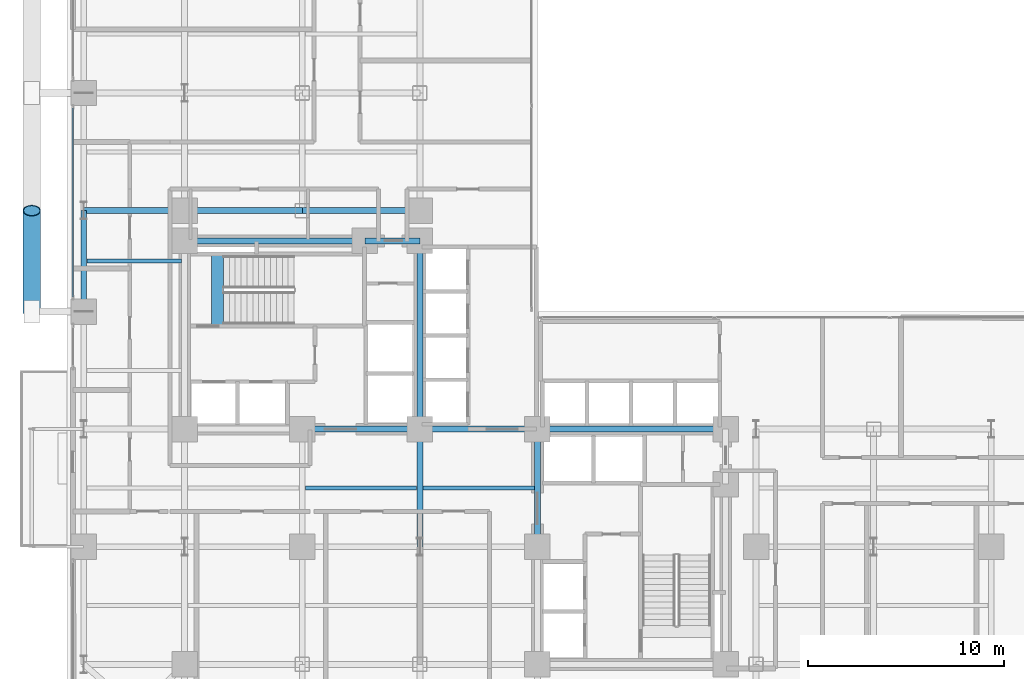
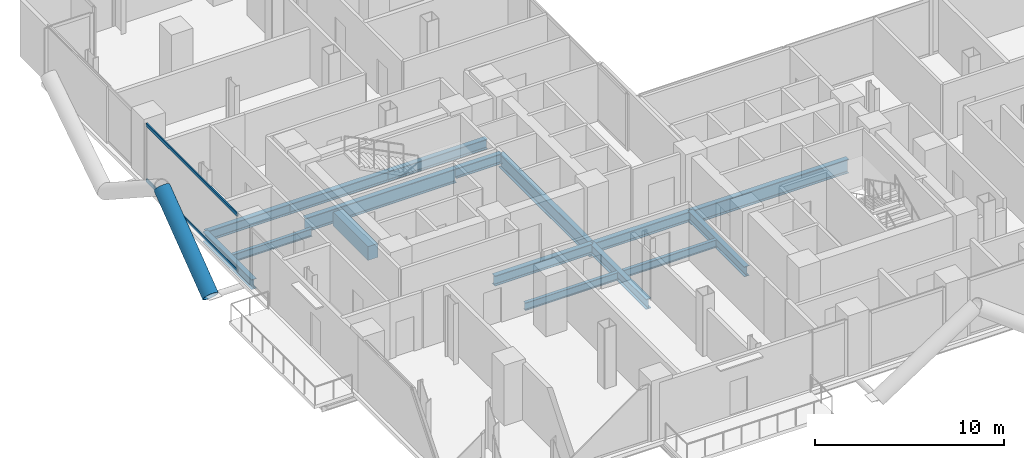
# One storey, part 6 of 25: 16 beams, 3 members, 1 element without a shape of its own.
"""IFC4 building model written with IfcOpenShell, lengths in metres."""

import ifcopenshell
import ifcopenshell.guid

model = None  # the IFC model being written
_history = None  # IfcOwnerHistory: only IFC2X3 demands one
_inside = {}  # id of a spatial element -> (the spatial element, [elements in it])
_under = {}  # id of a project, library or spatial element -> (it, [spatial elements below it])
_declared = {}  # id of a project -> (the project, [libraries it declares])
_typed = {}  # id of a type object -> (the type object, [elements of that type])
_made_of = {}  # id of a material, layer set ... -> (it, [elements and type objects made of it])


def new_model(schema):
    """Start an empty IFC model of exactly this schema.

    Asked for "IFC4X3", IfcOpenShell would pick the latest addendum, in which some entities
    have other attributes; the version numbers below select the first issue.
    IFC2X3 requires an IfcOwnerHistory on every rooted entity: one is made here for all.
    """
    global model, _history
    if schema == "IFC4X3":
        model = ifcopenshell.file(schema_version=(4, 3, 0, 0))
    else:
        model = ifcopenshell.file(schema=schema)
    _inside.clear()
    _under.clear()
    _declared.clear()
    _typed.clear()
    _made_of.clear()
    _history = None
    if model.schema == "IFC2X3":
        org = make("IfcOrganization", Name="unknown")
        user = make(
            "IfcPersonAndOrganization",
            ThePerson=make("IfcPerson", FamilyName="unknown"),
            TheOrganization=org,
        )
        app = make(
            "IfcApplication",
            ApplicationDeveloper=org,
            Version="unknown",
            ApplicationFullName="unknown",
            ApplicationIdentifier="unknown",
        )
        _history = make(
            "IfcOwnerHistory",
            OwningUser=user,
            OwningApplication=app,
            ChangeAction="ADDED",
            CreationDate=0,
        )
    return model


def make(cls, **values):
    """One entity of the class cls with the attributes given. An attribute that is None is left unset."""
    return model.create_entity(
        cls, **{name: value for name, value in values.items() if value is not None}
    )


def rooted(cls, **values):
    """An entity with a GlobalId (a new one), such as an element, a storey or a relation."""
    return make(cls, GlobalId=ifcopenshell.guid.new(), OwnerHistory=_history, **values)


def si_unit(unit_type, name, prefix=None):
    """IfcSIUnit, for example si_unit("LENGTHUNIT", "METRE", prefix="MILLI")."""
    return make("IfcSIUnit", UnitType=unit_type, Prefix=prefix, Name=name)


def assignment(units):
    """IfcUnitAssignment: the units of a project."""
    return None if units is None else make("IfcUnitAssignment", Units=units)


def point(xyz):
    """IfcCartesianPoint."""
    return None if xyz is None else make("IfcCartesianPoint", Coordinates=xyz)


def direction(xyz):
    """IfcDirection."""
    return None if xyz is None else make("IfcDirection", DirectionRatios=xyz)


def frame(location, z_axis=None, x_axis=None):
    """IfcAxis2Placement3D, a coordinate frame: its origin and axes. An axis left out is left unset."""
    return make(
        "IfcAxis2Placement3D",
        Location=point(location),
        Axis=direction(z_axis),
        RefDirection=direction(x_axis),
    )


def frame_2d(location, x_axis=None):
    """IfcAxis2Placement2D, a coordinate frame in the plane: its origin and x axis."""
    return make(
        "IfcAxis2Placement2D", Location=point(location), RefDirection=direction(x_axis)
    )


def origin():
    """The frame at (0, 0, 0) with its axes left unset."""
    return frame((0.0, 0.0, 0.0))


def origin_2d():
    """The frame at (0, 0) in the plane with its x axis left unset."""
    return frame_2d((0.0, 0.0))


def place(relative_to, where):
    """IfcLocalPlacement: puts the frame where relative to a parent placement (None: the world)."""
    return make(
        "IfcLocalPlacement", PlacementRelTo=relative_to, RelativePlacement=where
    )


def context(
    kind, dimensions, precision=None, world=None, true_north=None, identifier=None
):
    """IfcGeometricRepresentationContext, for example the 3D "Model" context."""
    return make(
        "IfcGeometricRepresentationContext",
        ContextIdentifier=identifier,
        ContextType=kind,
        CoordinateSpaceDimension=dimensions,
        Precision=precision,
        WorldCoordinateSystem=world,
        TrueNorth=true_north,
    )


def subcontext(parent, identifier, kind, view, scale=None):
    """IfcGeometricRepresentationSubContext, for example "Body" below "Model"."""
    return make(
        "IfcGeometricRepresentationSubContext",
        ContextIdentifier=identifier,
        ContextType=kind,
        ParentContext=parent,
        TargetScale=scale,
        TargetView=view,
    )


def project(units=None, contexts=None):
    """IfcProject with its units and contexts."""
    return rooted(
        "IfcProject",
        Name="project",
        RepresentationContexts=contexts,
        UnitsInContext=assignment(units),
    )


def spatial(cls, under=None, at=None, **own):
    """A site, building, storey or space (cls), placed at a placement, below another one or the project."""
    s = rooted(cls, ObjectPlacement=at, **own)
    if under is not None:
        _under.setdefault(under.id(), (under, []))[1].append(s)
    return s


def profile(cls, at=None, kind="AREA", **sizes):
    """A parametric profile (cls). Its sizes go by their IFC names, for example OverallWidth=200.0."""
    return make(cls, ProfileType=kind, Position=at, **sizes)


def rectangle(**sizes):
    """IfcRectangleProfileDef."""
    return profile("IfcRectangleProfileDef", **sizes)


def hollow_rectangle(**sizes):
    """IfcRectangleHollowProfileDef."""
    return profile("IfcRectangleHollowProfileDef", **sizes)


def hollow_circle(**sizes):
    """IfcCircleHollowProfileDef."""
    return profile("IfcCircleHollowProfileDef", **sizes)


def i_section(**sizes):
    """IfcIShapeProfileDef."""
    return profile("IfcIShapeProfileDef", **sizes)


def extrude(swept, where, along, depth):
    """IfcExtrudedAreaSolid: the profile swept, set in the frame where, extruded along a direction by depth."""
    return make(
        "IfcExtrudedAreaSolid",
        SweptArea=swept,
        Position=where,
        ExtrudedDirection=direction(along),
        Depth=depth,
    )


def shape(context_of_items, identifier, shape_type, items):
    """IfcShapeRepresentation: the items that make up one representation, for example the "Body"."""
    return make(
        "IfcShapeRepresentation",
        ContextOfItems=context_of_items,
        RepresentationIdentifier=identifier,
        RepresentationType=shape_type,
        Items=items,
    )


def material(Name=None, Category=None):
    """IfcMaterial."""
    return make("IfcMaterial", Name=Name, Category=Category)


def layer(
    of_material, thickness, ventilated=None, Name=None, Category=None, Priority=None
):
    """IfcMaterialLayer: one layer of a wall or slab, of a material (None: an air gap)."""
    return make(
        "IfcMaterialLayer",
        Material=of_material,
        LayerThickness=thickness,
        IsVentilated=ventilated,
        Name=Name,
        Category=Category,
        Priority=Priority,
    )


def layer_set(layers, Name=None):
    """IfcMaterialLayerSet."""
    return make("IfcMaterialLayerSet", MaterialLayers=layers, LayerSetName=Name)


def material_profile(
    of_material, cross_section, Name=None, Category=None, Priority=None
):
    """IfcMaterialProfile: a cross section and its material."""
    return make(
        "IfcMaterialProfile",
        Name=Name,
        Material=of_material,
        Profile=cross_section,
        Priority=Priority,
        Category=Category,
    )


def profile_set(profiles, Name=None, composite=None):
    """IfcMaterialProfileSet."""
    return make(
        "IfcMaterialProfileSet",
        Name=Name,
        MaterialProfiles=profiles,
        CompositeProfile=composite,
    )


def made_of(thing, what):
    """Note that an element or type object is made of a material, layer set ...; save() writes the relation."""
    if what is not None:
        _made_of.setdefault(what.id(), (what, []))[1].append(thing)
    return thing


def type_object(cls, material=None, **own):
    """A type object (cls), such as IfcWallType, which elements share."""
    return made_of(rooted(cls, **own), material)


def element(
    cls,
    number,
    at=None,
    inside=None,
    cuts=None,
    type_object=None,
    material=None,
    context=None,
    identifier="Body",
    shape_type=None,
    held_by="IfcProductDefinitionShape",
    body=None,
    shapes=None,
    **own,
):
    """One element of the class cls, such as IfcWall. Its Tag is "e" and its number.

    at: its placement. inside: the storey or other place that contains it. cuts: it is an
    opening in that element (IfcRelVoidsElement). A single representation is given by context,
    identifier, shape_type and body (its items); several are given by shapes. held_by: the class
    of the entity that holds the representations. save() writes the other relations.
    """
    e = rooted(cls, Tag="e%d" % number, ObjectPlacement=at, **own)
    if body is not None:
        shapes = [shape(context, identifier, shape_type, body)]
    if shapes is not None:
        e.Representation = make(held_by, Representations=shapes)
    if inside is not None:
        _inside.setdefault(inside.id(), (inside, []))[1].append(e)
    if cuts is not None:
        rooted(
            "IfcRelVoidsElement", RelatingBuildingElement=cuts, RelatedOpeningElement=e
        )
    if type_object is not None:
        _typed.setdefault(type_object.id(), (type_object, []))[1].append(e)
    return made_of(e, material)


def aggregate(whole, parts):
    """IfcRelAggregates: a whole, such as a stair, and the parts it consists of."""
    return rooted("IfcRelAggregates", RelatingObject=whole, RelatedObjects=parts)


def save(model, path):
    """Write the relations noted so far, then the file.

    IfcRelAggregates (storeys below a building ...), IfcRelContainedInSpatialStructure (elements
    in a storey), IfcRelDefinesByType, IfcRelAssociatesMaterial and IfcRelDeclares: one each for
    every whole, place, type object, material and project.
    """
    for whole, parts in _under.values():
        aggregate(whole, parts)
    for where, things in _inside.values():
        rooted(
            "IfcRelContainedInSpatialStructure",
            RelatedElements=things,
            RelatingStructure=where,
        )
    for kind, things in _typed.values():
        rooted("IfcRelDefinesByType", RelatedObjects=things, RelatingType=kind)
    for what, things in _made_of.values():
        rooted("IfcRelAssociatesMaterial", RelatedObjects=things, RelatingMaterial=what)
    for by, libraries in _declared.values():
        rooted("IfcRelDeclares", RelatingContext=by, RelatedDefinitions=libraries)
    model.write(path)


model = new_model("IFC4")

# Units and contexts
model_context = context("Model", 3, precision=1e-05, world=origin(), true_north=direction((0.0, 1.0)))
body_context = subcontext(model_context, "Body", "Model", "MODEL_VIEW")
ifc_project = project(units=[si_unit("LENGTHUNIT", "METRE"), si_unit("AREAUNIT", "SQUARE_METRE"), si_unit("VOLUMEUNIT", "CUBIC_METRE"), si_unit("PLANEANGLEUNIT", "RADIAN"), si_unit("MASSUNIT", "GRAM", prefix="KILO"), si_unit("THERMODYNAMICTEMPERATUREUNIT", "KELVIN"), si_unit("POWERUNIT", "WATT")], contexts=[model_context])

# Site, building, storey
site_placement = place(None, origin())
site = spatial("IfcSite", under=ifc_project, at=site_placement, CompositionType="ELEMENT")
building_placement = place(site_placement, origin())
building = spatial("IfcBuilding", under=site, at=building_placement, Name="Svarakhadi Broadcast Tower", CompositionType="ELEMENT")
storey_placement = place(building_placement, frame((0.0, 0.0, 83.10009765625)))
storey = spatial("IfcBuildingStorey", under=building, at=storey_placement, Name="L19", CompositionType="ELEMENT", Elevation=83.10009765625)

# Beams
ifc_material_1 = material(Name="Steel S355J2 (IS 2062 E350C)", Category="steel")
ifc_material_profile_1 = material_profile(ifc_material_1, i_section(OverallWidth=0.199951171875, OverallDepth=0.5, WebThickness=0.01025390625, FlangeThickness=0.01611328125, FilletRadius=0.02099609375, at=origin_2d()), Name="NPB 500x200x91")
ifc_profile_set_1 = profile_set([ifc_material_profile_1], Name="Steel S355J2 (IS 2062 E350C)")
beam_type_1 = type_object("IfcBeamType", Name="Beam_NPB500", PredefinedType="BEAM", material=ifc_profile_set_1)
beam_1_placement = place(storey_placement, frame((1.010009765625, 26.574951171875, -0.5), z_axis=(1.0, 0.0, 0.0), x_axis=(0.0, 1.0, 0.0)))
element("IfcBeam", 1, at=beam_1_placement, inside=storey, type_object=beam_type_1, Name="L19 Secondary Composite Beam SB004", PredefinedType="BEAM", context=body_context, shape_type="SweptSolid", body=[
    extrude(i_section(OverallWidth=0.199951171875, OverallDepth=0.5, WebThickness=0.01025390625, FlangeThickness=0.01611328125, FilletRadius=0.02099609375, at=origin_2d()), origin(), (0.0, 0.0, 1.0), 4.830078125),
])
for number, where, z_axis, x_axis, name in (
    (2, (12.159912109375, 15.0, -0.5), (1.0, 0.0, 0.0), (0.0, 1.0, 0.0), "L19 Secondary Composite Beam SB015"),
    (3, (18.159912109375, 15.0, -0.5), (1.0, 0.0, 0.0), (0.0, 1.0, 0.0), "L19 Secondary Composite Beam SB021"),
):
    element("IfcBeam", number, at=place(storey_placement, frame(where, z_axis=z_axis, x_axis=x_axis)), inside=storey, type_object=beam_type_1, Name=name, PredefinedType="BEAM", context=body_context, shape_type="SweptSolid", body=[
        extrude(i_section(OverallWidth=0.199951171875, OverallDepth=0.5, WebThickness=0.01025390625, FlangeThickness=0.01611328125, FilletRadius=0.02099609375, at=origin_2d()), origin(), (0.0, 0.0, 1.0), 5.68017578125),
    ])

# Curtain wall, members
ifc_material_2 = material(Name="Anodised Bronze Aluminium AA 6063-T6", Category="aluminium")
ifc_layer = layer(ifc_material_2, 0.219970703125)
ifc_layer_set = layer_set([ifc_layer], Name="Anodised Bronze Aluminium AA 6063-T6")
curtain_wall_type = type_object("IfcCurtainWallType", Name="CW_Sys_02", PredefinedType="NOTDEFINED", material=ifc_layer_set)
curtain_wall_placement = place(storey_placement, origin())
curtain_wall = element("IfcCurtainWall", 4, at=curtain_wall_placement, inside=storey, type_object=curtain_wall_type, Name="L19 West Curtain Wall 03 Bay 2", PredefinedType="NOTDEFINED")
ifc_material_profile_2 = material_profile(ifc_material_2, hollow_rectangle(XDim=0.074951171875, YDim=0.199951171875, WallThickness=0.0048828125, at=origin_2d()), Name="ALU TRANSOM 200x75x5")
ifc_profile_set_2 = profile_set([ifc_material_profile_2], Name="Anodised Bronze Aluminium AA 6063-T6")
member_type_1 = type_object("IfcMemberType", Name="CW_Sys_02_Trn", PredefinedType="USERDEFINED", material=ifc_profile_set_2)
member_1_placement = place(storey_placement, frame((0.300048828125, 24.7548828125, 0.037353515625), z_axis=(0.0, 1.0, 0.0), x_axis=(-1.0, 0.0, 0.0)))
member_1 = element("IfcMember", 5, at=member_1_placement, type_object=member_type_1, Name="CW-02 transom 1.1", ObjectType="TRANSOM", PredefinedType="USERDEFINED", context=body_context, shape_type="SweptSolid", body=[
    extrude(hollow_rectangle(XDim=0.074951171875, YDim=0.199951171875, WallThickness=0.0048828125, at=origin_2d()), origin(), (0.0, 0.0, 1.0), 9.64013671875),
])
member_2_placement = place(storey_placement, frame((0.300048828125, 24.7548828125, 3.6123046875), z_axis=(0.0, 1.0, 0.0), x_axis=(-1.0, 0.0, 0.0)))
member_2 = element("IfcMember", 6, at=member_2_placement, type_object=member_type_1, Name="CW-02 transom 1.2", ObjectType="TRANSOM", PredefinedType="USERDEFINED", context=body_context, shape_type="SweptSolid", body=[
    extrude(hollow_rectangle(XDim=0.074951171875, YDim=0.199951171875, WallThickness=0.0048828125, at=origin_2d()), origin(), (0.0, 0.0, 1.0), 9.64013671875),
])
aggregate(curtain_wall, [member_1, member_2])

# Beam
ifc_material_3 = material(Name="Concrete C50/60 (IS 456 M60)", Category="concrete")
ifc_material_profile_3 = material_profile(ifc_material_3, rectangle(XDim=0.60009765625, YDim=0.89990234375, at=origin_2d()), Name="RC 600x900")
ifc_profile_set_3 = profile_set([ifc_material_profile_3], Name="Concrete C50/60 (IS 456 M60)")
beam_type_2 = type_object("IfcBeamType", Name="Coupling_RC600", PredefinedType="USERDEFINED", material=ifc_profile_set_3)
beam_2_placement = place(storey_placement, frame((7.679931640625, 23.260009765625, -0.4501953125), z_axis=(0.0, 1.0, 0.0), x_axis=(-1.0, 0.0, 0.0)))
element("IfcBeam", 7, at=beam_2_placement, inside=storey, type_object=beam_type_2, Name="L19 Stair ST-01 Landing Throat Trimmer Beam CB-01", ObjectType="GIRDER", PredefinedType="USERDEFINED", context=body_context, shape_type="SweptSolid", body=[
    extrude(rectangle(XDim=0.60009765625, YDim=0.89990234375, at=origin_2d()), origin(), (0.0, 0.0, 1.0), 3.679931640625),
])

# Member
ifc_material_4 = material(Name="Steel S460ML (IS 2062 E450BR)", Category="steel")
ifc_material_profile_4 = material_profile(ifc_material_4, hollow_circle(Radius=0.45703125, WallThickness=0.044921875, at=origin_2d()), Name="CHS 914x45")
ifc_profile_set_4 = profile_set([ifc_material_profile_4], Name="Steel S460ML (IS 2062 E450BR)")
member_type_2 = type_object("IfcMemberType", Name="Exo_Brace_CHS914", PredefinedType="BRACE", material=ifc_profile_set_4)
member_3_placement = place(storey_placement, frame((-1.800048828125, 24.0, -0.427978515625), z_axis=(0.0, 0.797188602897, 0.603730346605), x_axis=(-1.0, 0.0, 0.0)))
element("IfcMember", 8, at=member_3_placement, inside=storey, type_object=member_type_2, Name="L19 Exposed Bronze Exoskeleton Diagonal W05", PredefinedType="BRACE", context=body_context, shape_type="SweptSolid", body=[
    extrude(hollow_circle(Radius=0.45703125, WallThickness=0.044921875, at=origin_2d()), origin(), (0.0, 0.0, 1.0), 6.4599609375),
])

# Beams
ifc_material_profile_5 = material_profile(ifc_material_1, i_section(OverallWidth=0.300048828125, OverallDepth=0.64990234375, WebThickness=0.01611328125, FlangeThickness=0.031005859375, FilletRadius=0.027099609375, at=origin_2d()), Name="WPB 650x300x225")
ifc_profile_set_5 = profile_set([ifc_material_profile_5], Name="Steel S355J2 (IS 2062 E350C)")
beam_type_3 = type_object("IfcBeamType", Name="Girder_WPB650", PredefinedType="USERDEFINED", material=ifc_profile_set_5)
for number, where, z_axis, x_axis, name in (
    (9, (12.0, 18.0, -0.5751953125), (1.0, 0.0, 0.0), (0.0, 1.0, 0.0), "L19 Primary E-W Girder G027"),
    (10, (18.0, 18.0, -0.5751953125), (1.0, 0.0, 0.0), (0.0, 1.0, 0.0), "L19 Primary E-W Girder G028"),
):
    element("IfcBeam", number, at=place(storey_placement, frame(where, z_axis=z_axis, x_axis=x_axis)), inside=storey, type_object=beam_type_3, Name=name, ObjectType="GIRDER", PredefinedType="USERDEFINED", context=body_context, shape_type="SweptSolid", body=[
        extrude(i_section(OverallWidth=0.300048828125, OverallDepth=0.64990234375, WebThickness=0.01611328125, FlangeThickness=0.031005859375, FilletRadius=0.027099609375, at=origin_2d()), origin(), (0.0, 0.0, 1.0), 6.0),
    ])
beam_3_placement = place(storey_placement, frame((15.199951171875, 27.60009765625, -0.5751953125), z_axis=(1.0, 0.0, 0.0), x_axis=(0.0, 1.0, 0.0)))
element("IfcBeam", 11, at=beam_3_placement, inside=storey, type_object=beam_type_3, Name="L19 Primary E-W Girder G033", ObjectType="GIRDER", PredefinedType="USERDEFINED", context=body_context, shape_type="SweptSolid", body=[
    extrude(i_section(OverallWidth=0.300048828125, OverallDepth=0.64990234375, WebThickness=0.01611328125, FlangeThickness=0.031005859375, FilletRadius=0.027099609375, at=origin_2d()), origin(), (0.0, 0.0, 1.0), 2.800048828125),
])
beam_4_placement = place(storey_placement, frame((0.85009765625, 29.14990234375, -0.5751953125), z_axis=(1.0, 0.0, 0.0), x_axis=(0.0, 1.0, 0.0)))
element("IfcBeam", 12, at=beam_4_placement, inside=storey, type_object=beam_type_3, Name="L19 Primary E-W Girder G034", ObjectType="GIRDER", PredefinedType="USERDEFINED", context=body_context, shape_type="SweptSolid", body=[
    extrude(i_section(OverallWidth=0.300048828125, OverallDepth=0.64990234375, WebThickness=0.01611328125, FlangeThickness=0.031005859375, FilletRadius=0.027099609375, at=origin_2d()), origin(), (0.0, 0.0, 1.0), 5.14990234375),
])
for number, where, z_axis, x_axis, name in (
    (13, (6.0, 29.14990234375, -0.5751953125), (1.0, 0.0, 0.0), (0.0, 1.0, 0.0), "L19 Primary E-W Girder G035"),
    (14, (12.0, 29.14990234375, -0.5751953125), (1.0, 0.0, 0.0), (0.0, 1.0, 0.0), "L19 Primary E-W Girder G036"),
):
    element("IfcBeam", number, at=place(storey_placement, frame(where, z_axis=z_axis, x_axis=x_axis)), inside=storey, type_object=beam_type_3, Name=name, ObjectType="GIRDER", PredefinedType="USERDEFINED", context=body_context, shape_type="SweptSolid", body=[
        extrude(i_section(OverallWidth=0.300048828125, OverallDepth=0.64990234375, WebThickness=0.01611328125, FlangeThickness=0.031005859375, FilletRadius=0.027099609375, at=origin_2d()), origin(), (0.0, 0.0, 1.0), 6.0),
    ])
beam_5_placement = place(storey_placement, frame((0.85009765625, 24.0, -0.5751953125), z_axis=(0.0, 1.0, 0.0), x_axis=(-1.0, 0.0, 0.0)))
element("IfcBeam", 15, at=beam_5_placement, inside=storey, type_object=beam_type_3, Name="L19 Primary N-S Girder G048", ObjectType="GIRDER", PredefinedType="USERDEFINED", context=body_context, shape_type="SweptSolid", body=[
    extrude(i_section(OverallWidth=0.300048828125, OverallDepth=0.64990234375, WebThickness=0.01611328125, FlangeThickness=0.031005859375, FilletRadius=0.027099609375, at=origin_2d()), origin(), (0.0, 0.0, 1.0), 5.14990234375),
])
for number, where, z_axis, x_axis, name in (
    (16, (18.0, 12.0, -0.5751953125), (0.0, 1.0, 0.0), (-1.0, 0.0, 0.0), "L19 Primary N-S Girder G066"),
    (17, (24.0, 12.0, -0.5751953125), (0.0, 1.0, 0.0), (-1.0, 0.0, 0.0), "L19 Primary N-S Girder G073"),
):
    element("IfcBeam", number, at=place(storey_placement, frame(where, z_axis=z_axis, x_axis=x_axis)), inside=storey, type_object=beam_type_3, Name=name, ObjectType="GIRDER", PredefinedType="USERDEFINED", context=body_context, shape_type="SweptSolid", body=[
        extrude(i_section(OverallWidth=0.300048828125, OverallDepth=0.64990234375, WebThickness=0.01611328125, FlangeThickness=0.031005859375, FilletRadius=0.027099609375, at=origin_2d()), origin(), (0.0, 0.0, 1.0), 6.0),
    ])
ifc_material_profile_6 = material_profile(ifc_material_4, i_section(OverallWidth=0.300048828125, OverallDepth=0.89990234375, WebThickness=0.0185546875, FlangeThickness=0.034912109375, FilletRadius=0.030029296875, at=origin_2d()), Name="WPB 900x300x291")
ifc_profile_set_6 = profile_set([ifc_material_profile_6], Name="Steel S460ML (IS 2062 E450BR)")
beam_type_4 = type_object("IfcBeamType", Name="Girder_WPB900", PredefinedType="USERDEFINED", material=ifc_profile_set_6)
beam_6_placement = place(storey_placement, frame((24.0, 18.0, -0.7001953125), z_axis=(1.0, 0.0, 0.0), x_axis=(0.0, 1.0, 0.0)))
element("IfcBeam", 18, at=beam_6_placement, inside=storey, type_object=beam_type_4, Name="L19 Primary E-W Girder G029", ObjectType="GIRDER", PredefinedType="USERDEFINED", context=body_context, shape_type="SweptSolid", body=[
    extrude(i_section(OverallWidth=0.300048828125, OverallDepth=0.89990234375, WebThickness=0.0185546875, FlangeThickness=0.034912109375, FilletRadius=0.030029296875, at=origin_2d()), origin(), (0.0, 0.0, 1.0), 9.60009765625),
])
beam_7_placement = place(storey_placement, frame((6.0, 27.60009765625, -0.7001953125), z_axis=(1.0, 0.0, 0.0), x_axis=(0.0, 1.0, 0.0)))
element("IfcBeam", 19, at=beam_7_placement, inside=storey, type_object=beam_type_4, Name="L19 Primary E-W Girder G032", ObjectType="GIRDER", PredefinedType="USERDEFINED", context=body_context, shape_type="SweptSolid", body=[
    extrude(i_section(OverallWidth=0.300048828125, OverallDepth=0.89990234375, WebThickness=0.0185546875, FlangeThickness=0.034912109375, FilletRadius=0.030029296875, at=origin_2d()), origin(), (0.0, 0.0, 1.0), 9.199951171875),
])
beam_8_placement = place(storey_placement, frame((18.0, 18.0, -0.7001953125), z_axis=(0.0, 1.0, 0.0), x_axis=(-1.0, 0.0, 0.0)))
element("IfcBeam", 20, at=beam_8_placement, inside=storey, type_object=beam_type_4, Name="L19 Primary N-S Girder G067", ObjectType="GIRDER", PredefinedType="USERDEFINED", context=body_context, shape_type="SweptSolid", body=[
    extrude(i_section(OverallWidth=0.300048828125, OverallDepth=0.89990234375, WebThickness=0.0185546875, FlangeThickness=0.034912109375, FilletRadius=0.030029296875, at=origin_2d()), origin(), (0.0, 0.0, 1.0), 9.60009765625),
])

save(model, "model.ifc")
